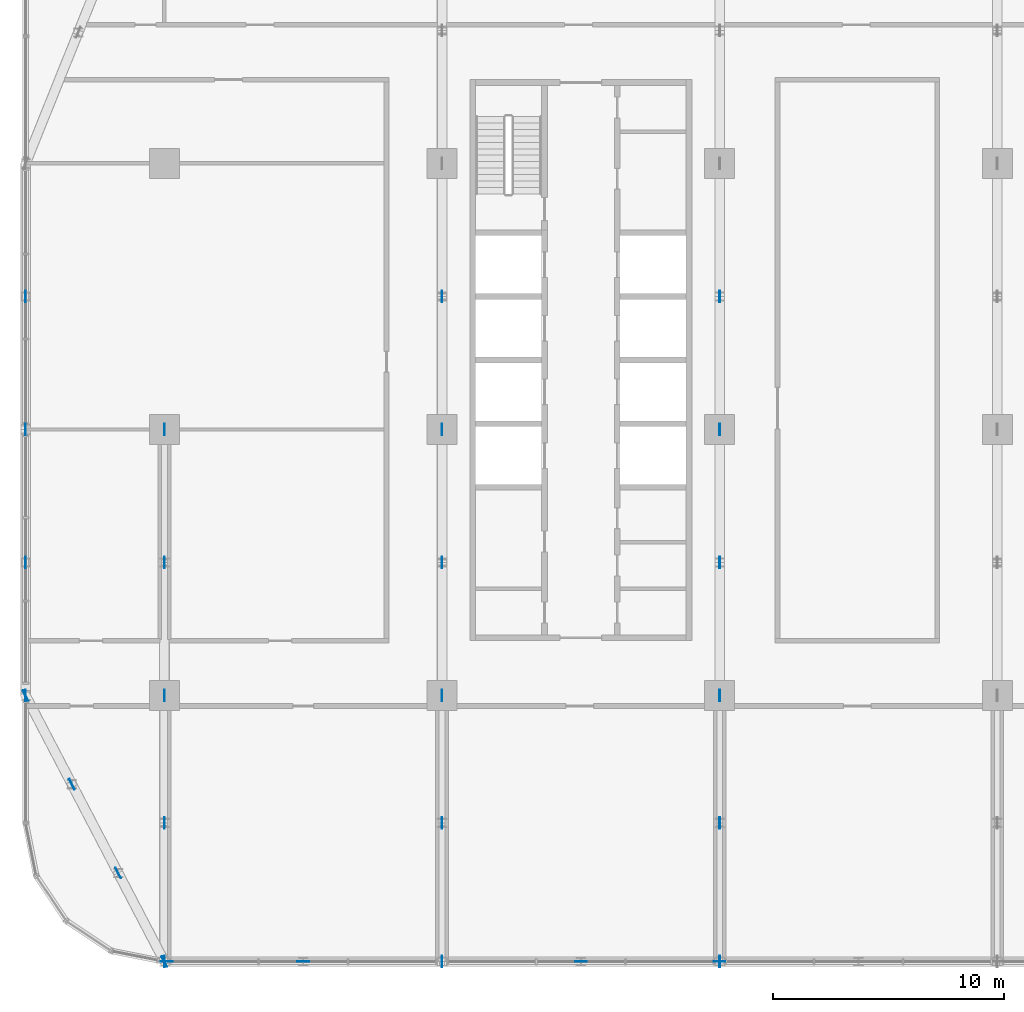
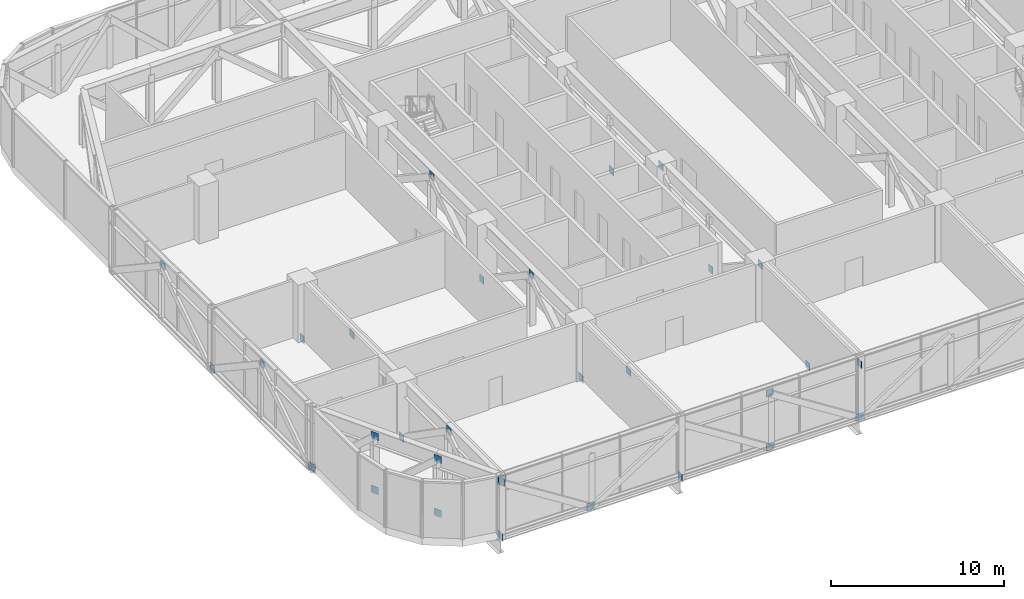
# One storey, part 22 of 30: 32 discrete accessories.
"""IFC4 building model written with IfcOpenShell, lengths in metres."""

from ifc_helpers import new_model, si_unit, direction, frame, origin, origin_2d, place, context, subcontext, project, spatial, rectangle, extrude, material, layer, layer_set, type_object, element, save


model = new_model("IFC4")

# Units and contexts
model_context = context("Model", 3, precision=1e-05, world=origin(), true_north=direction((0.0, 1.0)))
body_context = subcontext(model_context, "Body", "Model", "MODEL_VIEW")
ifc_project = project(units=[si_unit("LENGTHUNIT", "METRE"), si_unit("AREAUNIT", "SQUARE_METRE"), si_unit("VOLUMEUNIT", "CUBIC_METRE"), si_unit("PLANEANGLEUNIT", "RADIAN"), si_unit("MASSUNIT", "GRAM", prefix="KILO")], contexts=[model_context])

# Site, building, storey
site_placement = place(None, origin())
site = spatial("IfcSite", under=ifc_project, at=site_placement, CompositionType="ELEMENT")
building_placement = place(site_placement, origin())
building = spatial("IfcBuilding", under=site, at=building_placement, Name="Mahtab Terrace Research Tower", CompositionType="ELEMENT")
storey_placement = place(building_placement, frame((0.0, 0.0, 154.800048828125)))
storey = spatial("IfcBuildingStorey", under=building, at=storey_placement, Name="L36", CompositionType="ELEMENT", Elevation=154.800048828125)

# Discrete accessories
ifc_material = material(Name="Steel ASTM A992 Gr 50", Category="steel")
ifc_layer = layer(ifc_material, 0.030029296875)
ifc_layer_set = layer_set([ifc_layer], Name="Gusset plate 500x500x30")
discrete_accessory_type = type_object("IfcDiscreteAccessoryType", Name="Gusset plate 500x500x30", PredefinedType="USERDEFINED", material=ifc_layer_set)
for number, where, z_axis, x_axis, name in (
    (1, (-41.8984375, -23.0, 3.39306640625), (0.0, 0.0, 1.0), (1.0, 0.0, 0.0), "Gusset plate"),
    (2, (-36.0, -23.0, -0.567626953125), (0.0, 0.0, 1.0), (1.0, 0.0, 0.0), "Gusset plate"),
    (3, (-24.0, -23.0, -0.567626953125), (0.0, 0.0, 1.0), (1.0, 0.0, 0.0), "Gusset plate"),
    (4, (-24.0, -23.0, 3.251220703125), (0.0, 0.0, 1.0), (1.0, 0.0, 0.0), "Gusset plate"),
    (5, (-18.0, -23.0, -0.567626953125), (0.0, 0.0, 1.0), (1.0, 0.0, 0.0), "Gusset plate"),
    (6, (-48.0, -11.5, -0.567626953125), (0.0, 0.0, 1.0), (0.0, 1.0, 0.0), "Gusset plate"),
    (7, (-48.0, -5.75, 3.251220703125), (0.0, 0.0, 1.0), (0.0, 1.0, 0.0), "Gusset plate"),
    (8, (-48.0, 0.0, -0.567626953125), (0.0, 0.0, 1.0), (0.0, 1.0, 0.0), "Gusset plate"),
    (9, (-48.0, 5.75, 3.251220703125), (0.0, 0.0, 1.0), (0.0, 1.0, 0.0), "Gusset plate"),
    (10, (-42.0, -23.0, -0.567626953125), (0.0, 0.0, 1.0), (0.0, 1.0, 0.0), "Gusset plate"),
    (11, (-42.0, -17.0, 3.251220703125), (0.0, 0.0, 1.0), (0.0, 1.0, 0.0), "Gusset plate"),
    (12, (-42.0, -11.5, -0.567626953125), (0.0, 0.0, 1.0), (0.0, 1.0, 0.0), "Gusset plate"),
    (13, (-42.0, -5.75, 3.251220703125), (0.0, 0.0, 1.0), (0.0, 1.0, 0.0), "Gusset plate"),
    (14, (-42.0, 0.0, -0.567626953125), (0.0, 0.0, 1.0), (0.0, 1.0, 0.0), "Gusset plate"),
    (15, (-30.0, -23.0, -0.567626953125), (0.0, 0.0, 1.0), (0.0, 1.0, 0.0), "Gusset plate"),
    (16, (-30.0, -17.0, 3.251220703125), (0.0, 0.0, 1.0), (0.0, 1.0, 0.0), "Gusset plate"),
    (17, (-30.0, -11.5, -0.567626953125), (0.0, 0.0, 1.0), (0.0, 1.0, 0.0), "Gusset plate"),
    (18, (-30.0, -5.75, 3.251220703125), (0.0, 0.0, 1.0), (0.0, 1.0, 0.0), "Gusset plate"),
    (19, (-30.0, 0.0, -0.567626953125), (0.0, 0.0, 1.0), (0.0, 1.0, 0.0), "Gusset plate"),
    (20, (-30.0, 5.75, 3.251220703125), (0.0, 0.0, 1.0), (0.0, 1.0, 0.0), "Gusset plate"),
    (21, (-18.0, -23.0, 3.251220703125), (0.0, 0.0, 1.0), (0.0, 1.0, 0.0), "Gusset plate"),
    (22, (-18.0, -17.0, -0.567626953125), (0.0, 0.0, 1.0), (0.0, 1.0, 0.0), "Gusset plate"),
    (23, (-18.0, -11.5, 3.251220703125), (0.0, 0.0, 1.0), (0.0, 1.0, 0.0), "Gusset plate"),
    (24, (-18.0, -5.75, -0.567626953125), (0.0, 0.0, 1.0), (0.0, 1.0, 0.0), "Gusset plate"),
    (25, (-18.0, 0.0, 3.251220703125), (0.0, 0.0, 1.0), (0.0, 1.0, 0.0), "Gusset plate"),
    (26, (-18.0, 5.75, -0.567626953125), (0.0, 0.0, 1.0), (0.0, 1.0, 0.0), "Gusset plate"),
    (27, (-48.0, -11.5, -0.567626953125), (0.0, 0.0, 1.0), (-0.462599869636, 0.886567177721, 0.0), "Gusset plate"),
    (28, (-46.0, -15.3330078125, -0.567626953125), (0.0, 0.0, 1.0), (-0.462507026002, 0.886615616205, 0.0), "Gusset plate"),
    (29, (-46.0, -15.3330078125, 3.251220703125), (0.0, 0.0, 1.0), (-0.462599869636, 0.886567177721, 0.0), "Gusset plate"),
    (30, (-44.0, -19.1669921875, -0.567626953125), (0.0, 0.0, 1.0), (-0.462599869636, 0.886567177721, 0.0), "Gusset plate"),
    (31, (-44.0, -19.1669921875, 3.251220703125), (0.0, 0.0, 1.0), (-0.462507026002, 0.886615616205, 0.0), "Gusset plate"),
    (32, (-42.0, -23.0, 3.251220703125), (0.0, 0.0, 1.0), (-0.462599869636, 0.886567177721, 0.0), "Gusset plate"),
):
    element("IfcDiscreteAccessory", number, at=place(storey_placement, frame(where, z_axis=z_axis, x_axis=x_axis)), inside=storey, type_object=discrete_accessory_type, Name=name, ObjectType="GUSSET PLATE", PredefinedType="USERDEFINED", context=body_context, shape_type="SweptSolid", body=[
        extrude(rectangle(XDim=0.5, YDim=0.030029296875, at=origin_2d()), origin(), (0.0, 0.0, 1.0), 0.5),
    ])

save(model, "model.ifc")
